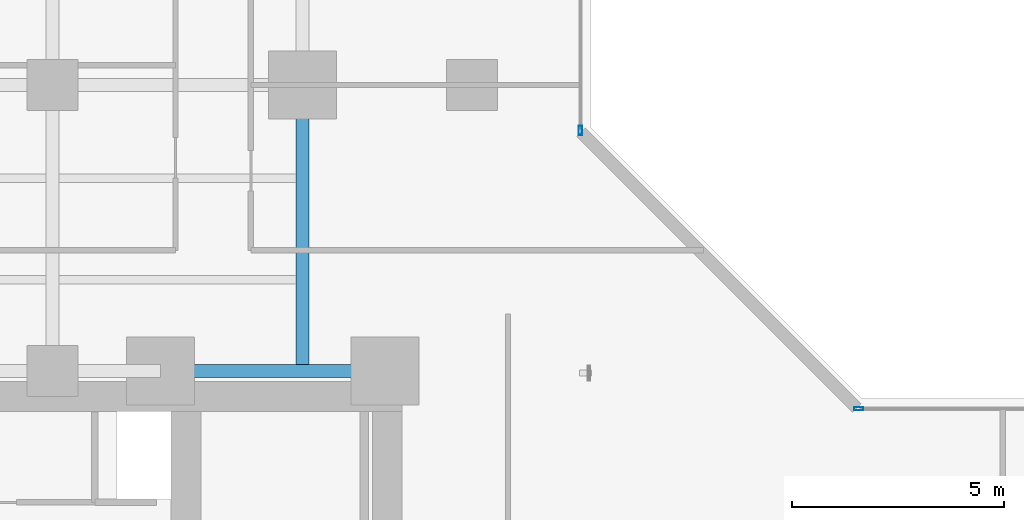
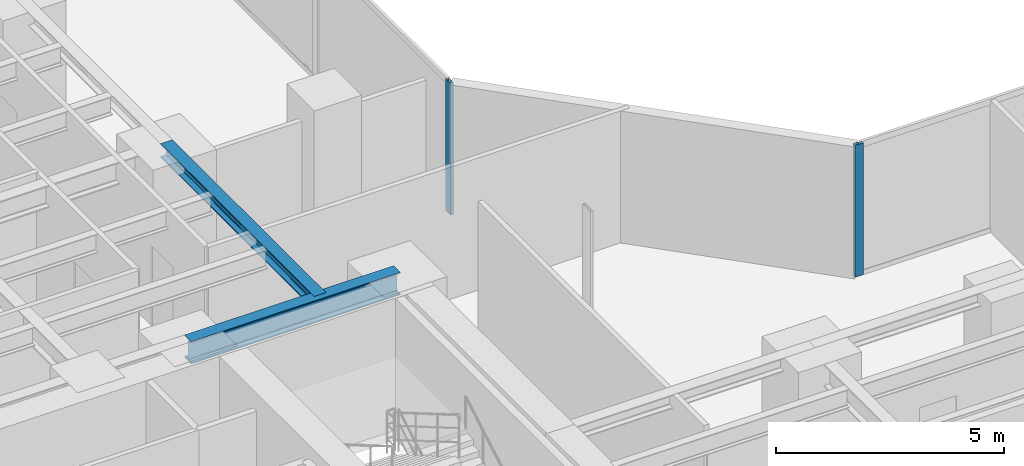
# One storey, part 8 of 27: 2 beams, 2 members, 2 elements without a shape of their own.
"""IFC4 building model written with IfcOpenShell, lengths in metres."""

import ifcopenshell
import ifcopenshell.guid

model = None  # the IFC model being written
_history = None  # IfcOwnerHistory: only IFC2X3 demands one
_inside = {}  # id of a spatial element -> (the spatial element, [elements in it])
_under = {}  # id of a project, library or spatial element -> (it, [spatial elements below it])
_declared = {}  # id of a project -> (the project, [libraries it declares])
_typed = {}  # id of a type object -> (the type object, [elements of that type])
_made_of = {}  # id of a material, layer set ... -> (it, [elements and type objects made of it])


def new_model(schema):
    """Start an empty IFC model of exactly this schema.

    Asked for "IFC4X3", IfcOpenShell would pick the latest addendum, in which some entities
    have other attributes; the version numbers below select the first issue.
    IFC2X3 requires an IfcOwnerHistory on every rooted entity: one is made here for all.
    """
    global model, _history
    if schema == "IFC4X3":
        model = ifcopenshell.file(schema_version=(4, 3, 0, 0))
    else:
        model = ifcopenshell.file(schema=schema)
    _inside.clear()
    _under.clear()
    _declared.clear()
    _typed.clear()
    _made_of.clear()
    _history = None
    if model.schema == "IFC2X3":
        org = make("IfcOrganization", Name="unknown")
        user = make(
            "IfcPersonAndOrganization",
            ThePerson=make("IfcPerson", FamilyName="unknown"),
            TheOrganization=org,
        )
        app = make(
            "IfcApplication",
            ApplicationDeveloper=org,
            Version="unknown",
            ApplicationFullName="unknown",
            ApplicationIdentifier="unknown",
        )
        _history = make(
            "IfcOwnerHistory",
            OwningUser=user,
            OwningApplication=app,
            ChangeAction="ADDED",
            CreationDate=0,
        )
    return model


def make(cls, **values):
    """One entity of the class cls with the attributes given. An attribute that is None is left unset."""
    return model.create_entity(
        cls, **{name: value for name, value in values.items() if value is not None}
    )


def rooted(cls, **values):
    """An entity with a GlobalId (a new one), such as an element, a storey or a relation."""
    return make(cls, GlobalId=ifcopenshell.guid.new(), OwnerHistory=_history, **values)


def si_unit(unit_type, name, prefix=None):
    """IfcSIUnit, for example si_unit("LENGTHUNIT", "METRE", prefix="MILLI")."""
    return make("IfcSIUnit", UnitType=unit_type, Prefix=prefix, Name=name)


def assignment(units):
    """IfcUnitAssignment: the units of a project."""
    return None if units is None else make("IfcUnitAssignment", Units=units)


def point(xyz):
    """IfcCartesianPoint."""
    return None if xyz is None else make("IfcCartesianPoint", Coordinates=xyz)


def direction(xyz):
    """IfcDirection."""
    return None if xyz is None else make("IfcDirection", DirectionRatios=xyz)


def frame(location, z_axis=None, x_axis=None):
    """IfcAxis2Placement3D, a coordinate frame: its origin and axes. An axis left out is left unset."""
    return make(
        "IfcAxis2Placement3D",
        Location=point(location),
        Axis=direction(z_axis),
        RefDirection=direction(x_axis),
    )


def frame_2d(location, x_axis=None):
    """IfcAxis2Placement2D, a coordinate frame in the plane: its origin and x axis."""
    return make(
        "IfcAxis2Placement2D", Location=point(location), RefDirection=direction(x_axis)
    )


def origin():
    """The frame at (0, 0, 0) with its axes left unset."""
    return frame((0.0, 0.0, 0.0))


def origin_with_axes():
    """The frame at (0, 0, 0) with the z axis (0, 0, 1) and the x axis (1, 0, 0) written out."""
    return frame((0.0, 0.0, 0.0), z_axis=(0.0, 0.0, 1.0), x_axis=(1.0, 0.0, 0.0))


def origin_2d():
    """The frame at (0, 0) in the plane with its x axis left unset."""
    return frame_2d((0.0, 0.0))


def place(relative_to, where):
    """IfcLocalPlacement: puts the frame where relative to a parent placement (None: the world)."""
    return make(
        "IfcLocalPlacement", PlacementRelTo=relative_to, RelativePlacement=where
    )


def context(
    kind, dimensions, precision=None, world=None, true_north=None, identifier=None
):
    """IfcGeometricRepresentationContext, for example the 3D "Model" context."""
    return make(
        "IfcGeometricRepresentationContext",
        ContextIdentifier=identifier,
        ContextType=kind,
        CoordinateSpaceDimension=dimensions,
        Precision=precision,
        WorldCoordinateSystem=world,
        TrueNorth=true_north,
    )


def subcontext(parent, identifier, kind, view, scale=None):
    """IfcGeometricRepresentationSubContext, for example "Body" below "Model"."""
    return make(
        "IfcGeometricRepresentationSubContext",
        ContextIdentifier=identifier,
        ContextType=kind,
        ParentContext=parent,
        TargetScale=scale,
        TargetView=view,
    )


def project(units=None, contexts=None):
    """IfcProject with its units and contexts."""
    return rooted(
        "IfcProject",
        Name="project",
        RepresentationContexts=contexts,
        UnitsInContext=assignment(units),
    )


def spatial(cls, under=None, at=None, **own):
    """A site, building, storey or space (cls), placed at a placement, below another one or the project."""
    s = rooted(cls, ObjectPlacement=at, **own)
    if under is not None:
        _under.setdefault(under.id(), (under, []))[1].append(s)
    return s


def profile(cls, at=None, kind="AREA", **sizes):
    """A parametric profile (cls). Its sizes go by their IFC names, for example OverallWidth=200.0."""
    return make(cls, ProfileType=kind, Position=at, **sizes)


def hollow_rectangle(**sizes):
    """IfcRectangleHollowProfileDef."""
    return profile("IfcRectangleHollowProfileDef", **sizes)


def i_section(**sizes):
    """IfcIShapeProfileDef."""
    return profile("IfcIShapeProfileDef", **sizes)


def extrude(swept, where, along, depth):
    """IfcExtrudedAreaSolid: the profile swept, set in the frame where, extruded along a direction by depth."""
    return make(
        "IfcExtrudedAreaSolid",
        SweptArea=swept,
        Position=where,
        ExtrudedDirection=direction(along),
        Depth=depth,
    )


def shape(context_of_items, identifier, shape_type, items):
    """IfcShapeRepresentation: the items that make up one representation, for example the "Body"."""
    return make(
        "IfcShapeRepresentation",
        ContextOfItems=context_of_items,
        RepresentationIdentifier=identifier,
        RepresentationType=shape_type,
        Items=items,
    )


def source(mapping_origin, context_of_items, identifier, shape_type, items):
    """IfcRepresentationMap: a shape defined once, which mapped items show again and again."""
    return make(
        "IfcRepresentationMap",
        MappingOrigin=mapping_origin,
        MappedRepresentation=shape(context_of_items, identifier, shape_type, items),
    )


def transform(
    local_origin,
    x_axis=None,
    y_axis=None,
    z_axis=None,
    scale=None,
    scale2=None,
    scale3=None,
    uniform=True,
):
    """IfcCartesianTransformationOperator3D, or its non-uniform kind. x_axis, y_axis, z_axis: its Axis1, 2, 3."""
    if uniform:
        return make(
            "IfcCartesianTransformationOperator3D",
            Axis1=direction(x_axis),
            Axis2=direction(y_axis),
            LocalOrigin=point(local_origin),
            Scale=scale,
            Axis3=direction(z_axis),
        )
    return make(
        "IfcCartesianTransformationOperator3DnonUniform",
        Axis1=direction(x_axis),
        Axis2=direction(y_axis),
        LocalOrigin=point(local_origin),
        Scale=scale,
        Axis3=direction(z_axis),
        Scale2=scale2,
        Scale3=scale3,
    )


def mapped(mapping_source, mapping_target):
    """IfcMappedItem: shows the shape of a source again, moved by a transform."""
    return make(
        "IfcMappedItem", MappingSource=mapping_source, MappingTarget=mapping_target
    )


def material(Name=None, Category=None):
    """IfcMaterial."""
    return make("IfcMaterial", Name=Name, Category=Category)


def layer(
    of_material, thickness, ventilated=None, Name=None, Category=None, Priority=None
):
    """IfcMaterialLayer: one layer of a wall or slab, of a material (None: an air gap)."""
    return make(
        "IfcMaterialLayer",
        Material=of_material,
        LayerThickness=thickness,
        IsVentilated=ventilated,
        Name=Name,
        Category=Category,
        Priority=Priority,
    )


def layer_set(layers, Name=None):
    """IfcMaterialLayerSet."""
    return make("IfcMaterialLayerSet", MaterialLayers=layers, LayerSetName=Name)


def material_profile(
    of_material, cross_section, Name=None, Category=None, Priority=None
):
    """IfcMaterialProfile: a cross section and its material."""
    return make(
        "IfcMaterialProfile",
        Name=Name,
        Material=of_material,
        Profile=cross_section,
        Priority=Priority,
        Category=Category,
    )


def profile_set(profiles, Name=None, composite=None):
    """IfcMaterialProfileSet."""
    return make(
        "IfcMaterialProfileSet",
        Name=Name,
        MaterialProfiles=profiles,
        CompositeProfile=composite,
    )


def made_of(thing, what):
    """Note that an element or type object is made of a material, layer set ...; save() writes the relation."""
    if what is not None:
        _made_of.setdefault(what.id(), (what, []))[1].append(thing)
    return thing


def type_object(cls, material=None, **own):
    """A type object (cls), such as IfcWallType, which elements share."""
    return made_of(rooted(cls, **own), material)


def element(
    cls,
    number,
    at=None,
    inside=None,
    cuts=None,
    type_object=None,
    material=None,
    context=None,
    identifier="Body",
    shape_type=None,
    held_by="IfcProductDefinitionShape",
    body=None,
    shapes=None,
    **own,
):
    """One element of the class cls, such as IfcWall. Its Tag is "e" and its number.

    at: its placement. inside: the storey or other place that contains it. cuts: it is an
    opening in that element (IfcRelVoidsElement). A single representation is given by context,
    identifier, shape_type and body (its items); several are given by shapes. held_by: the class
    of the entity that holds the representations. save() writes the other relations.
    """
    e = rooted(cls, Tag="e%d" % number, ObjectPlacement=at, **own)
    if body is not None:
        shapes = [shape(context, identifier, shape_type, body)]
    if shapes is not None:
        e.Representation = make(held_by, Representations=shapes)
    if inside is not None:
        _inside.setdefault(inside.id(), (inside, []))[1].append(e)
    if cuts is not None:
        rooted(
            "IfcRelVoidsElement", RelatingBuildingElement=cuts, RelatedOpeningElement=e
        )
    if type_object is not None:
        _typed.setdefault(type_object.id(), (type_object, []))[1].append(e)
    return made_of(e, material)


def aggregate(whole, parts):
    """IfcRelAggregates: a whole, such as a stair, and the parts it consists of."""
    return rooted("IfcRelAggregates", RelatingObject=whole, RelatedObjects=parts)


def save(model, path):
    """Write the relations noted so far, then the file.

    IfcRelAggregates (storeys below a building ...), IfcRelContainedInSpatialStructure (elements
    in a storey), IfcRelDefinesByType, IfcRelAssociatesMaterial and IfcRelDeclares: one each for
    every whole, place, type object, material and project.
    """
    for whole, parts in _under.values():
        aggregate(whole, parts)
    for where, things in _inside.values():
        rooted(
            "IfcRelContainedInSpatialStructure",
            RelatedElements=things,
            RelatingStructure=where,
        )
    for kind, things in _typed.values():
        rooted("IfcRelDefinesByType", RelatedObjects=things, RelatingType=kind)
    for what, things in _made_of.values():
        rooted("IfcRelAssociatesMaterial", RelatedObjects=things, RelatingMaterial=what)
    for by, libraries in _declared.values():
        rooted("IfcRelDeclares", RelatingContext=by, RelatedDefinitions=libraries)
    model.write(path)


model = new_model("IFC4")

# Units and contexts
model_context = context("Model", 3, precision=1e-05, world=origin(), true_north=direction((0.0, 1.0)))
body_context = subcontext(model_context, "Body", "Model", "MODEL_VIEW")
ifc_project = project(units=[si_unit("LENGTHUNIT", "METRE"), si_unit("AREAUNIT", "SQUARE_METRE"), si_unit("VOLUMEUNIT", "CUBIC_METRE"), si_unit("PLANEANGLEUNIT", "RADIAN"), si_unit("MASSUNIT", "GRAM", prefix="KILO")], contexts=[model_context])

# Site, building, storey
site_placement = place(None, origin())
site = spatial("IfcSite", under=ifc_project, at=site_placement, CompositionType="ELEMENT")
building_placement = place(site_placement, origin())
building = spatial("IfcBuilding", under=site, at=building_placement, Name="Kolvaren Waterfront Exchange", CompositionType="ELEMENT")
storey_placement = place(building_placement, frame((0.0, 0.0, 60.0)))
storey = spatial("IfcBuildingStorey", under=building, at=storey_placement, Name="L15", CompositionType="ELEMENT", Elevation=60.0)

# Beams
ifc_material_1 = material(Name="Steel S355", Category="steel")
ifc_material_profile_1 = material_profile(ifc_material_1, i_section(OverallWidth=0.300048828125, OverallDepth=0.360107421875, WebThickness=0.012451171875, FlangeThickness=0.0224609375, FilletRadius=0.027099609375, at=origin_2d()), Name="HEB360")
ifc_profile_set_1 = profile_set([ifc_material_profile_1], Name="Steel S355")
beam_type_1 = type_object("IfcBeamType", Name="STR-BM-HEB360", PredefinedType="SPANDREL", material=ifc_profile_set_1)
beam_1_placement = place(storey_placement, frame((18.800048828125, 24.449951171875, 3.360107421875), z_axis=(0.0, 1.0, 0.0), x_axis=(-1.0, 0.0, 0.0)))
element("IfcBeam", 1, at=beam_1_placement, inside=storey, type_object=beam_type_1, Name="L15 north-arm edge beam 1", PredefinedType="SPANDREL", context=body_context, shape_type="SweptSolid", body=[
    extrude(i_section(OverallWidth=0.300048828125, OverallDepth=0.360107421875, WebThickness=0.012451171875, FlangeThickness=0.0224609375, FilletRadius=0.027099609375, at=origin_2d()), origin(), (0.0, 0.0, 1.0), 6.75),
])
ifc_material_profile_2 = material_profile(ifc_material_1, i_section(OverallWidth=0.300048828125, OverallDepth=0.60009765625, WebThickness=0.015380859375, FlangeThickness=0.030029296875, FilletRadius=0.027099609375, at=origin_2d()), Name="HEB600")
ifc_profile_set_2 = profile_set([ifc_material_profile_2], Name="Steel S355")
beam_type_2 = type_object("IfcBeamType", Name="STR-BM-HEB600", PredefinedType="BEAM", material=ifc_profile_set_2)
beam_2_placement = place(storey_placement, frame((15.449951171875, 24.449951171875, 3.239990234375), z_axis=(1.0, 0.0, 0.0), x_axis=(0.0, 1.0, 0.0)))
element("IfcBeam", 2, at=beam_2_placement, inside=storey, type_object=beam_type_2, Name="L15 north-arm girder 1C", PredefinedType="BEAM", context=body_context, shape_type="SweptSolid", body=[
    extrude(i_section(OverallWidth=0.300048828125, OverallDepth=0.60009765625, WebThickness=0.015380859375, FlangeThickness=0.030029296875, FilletRadius=0.027099609375, at=origin_2d()), origin(), (0.0, 0.0, 1.0), 5.300048828125),
])

# Curtain wall, member
ifc_material_2 = material(Name="Anodised bronze aluminium 6063-T6", Category="aluminium")
ifc_layer = layer(ifc_material_2, 0.219970703125, Name="Anodised bronze aluminium 6063-T6")
ifc_layer_set = layer_set([ifc_layer], Name="Anodised bronze aluminium 6063-T6")
curtain_wall_type = type_object("IfcCurtainWallType", Name="ARC-CW-SYS1", PredefinedType="USERDEFINED", material=ifc_layer_set)
curtain_wall_1_placement = place(storey_placement, origin())
curtain_wall_1 = element("IfcCurtainWall", 3, at=curtain_wall_1_placement, inside=storey, type_object=curtain_wall_type, Name="L15 stick curtain wall CW1 (CW-L15-NE)", ObjectType="STICK CURTAIN WALL", PredefinedType="USERDEFINED")
ifc_material_3 = material(Name="Anodised aluminium 6063-T6", Category="aluminium")
ifc_material_profile_3 = material_profile(ifc_material_3, hollow_rectangle(XDim=0.080078125, YDim=0.219970703125, WallThickness=0.0048828125, at=origin_2d()), Name="ALU-MUL-220x80x5")
ifc_profile_set_3 = profile_set([ifc_material_profile_3], Name="Anodised aluminium 6063-T6")
member_type = type_object("IfcMemberType", Name="ARC-CWM-220", PredefinedType="MULLION", material=ifc_profile_set_3)
shared_shape = source(origin_with_axes(), body_context, "Body", "SweptSolid", [
    extrude(hollow_rectangle(XDim=0.080078125, YDim=0.219970703125, WallThickness=0.0048828125, at=origin_2d()), origin(), (0.0, 0.0, 1.0), 3.5400390625),
])
member_1_placement = place(storey_placement, frame((25.360107421875, 30.1298828125, 0.0), z_axis=(0.0, 0.0, 1.0), x_axis=(-1.0, 0.0, 0.0)))
member_1 = element("IfcMember", 4, at=member_1_placement, type_object=member_type, Name="CW1 mullion 1", PredefinedType="MULLION", context=body_context, shape_type="MappedRepresentation", body=[
    mapped(shared_shape, transform((0.0, 0.0, 0.0), x_axis=(1.0, 0.0, 0.0), y_axis=(0.0, 1.0, 0.0), z_axis=(0.0, 0.0, 1.0), scale=1.0)),
])
aggregate(curtain_wall_1, [member_1])

curtain_wall_2_placement = place(storey_placement, origin())
curtain_wall_2 = element("IfcCurtainWall", 5, at=curtain_wall_2_placement, inside=storey, type_object=curtain_wall_type, Name="L15 stick curtain wall CW1 (CW-L15-EN)", ObjectType="STICK CURTAIN WALL", PredefinedType="USERDEFINED")
member_2_placement = place(storey_placement, frame((31.929931640625, 23.56005859375, 0.0), z_axis=(0.0, 0.0, 1.0), x_axis=(0.0, 1.0, 0.0)))
member_2 = element("IfcMember", 6, at=member_2_placement, type_object=member_type, Name="CW1 mullion 1", PredefinedType="MULLION", context=body_context, shape_type="MappedRepresentation", body=[
    mapped(shared_shape, transform((0.0, 0.0, 0.0), x_axis=(1.0, 0.0, 0.0), y_axis=(0.0, 1.0, 0.0), z_axis=(0.0, 0.0, 1.0), scale=1.0)),
])
aggregate(curtain_wall_2, [member_2])

save(model, "model.ifc")
